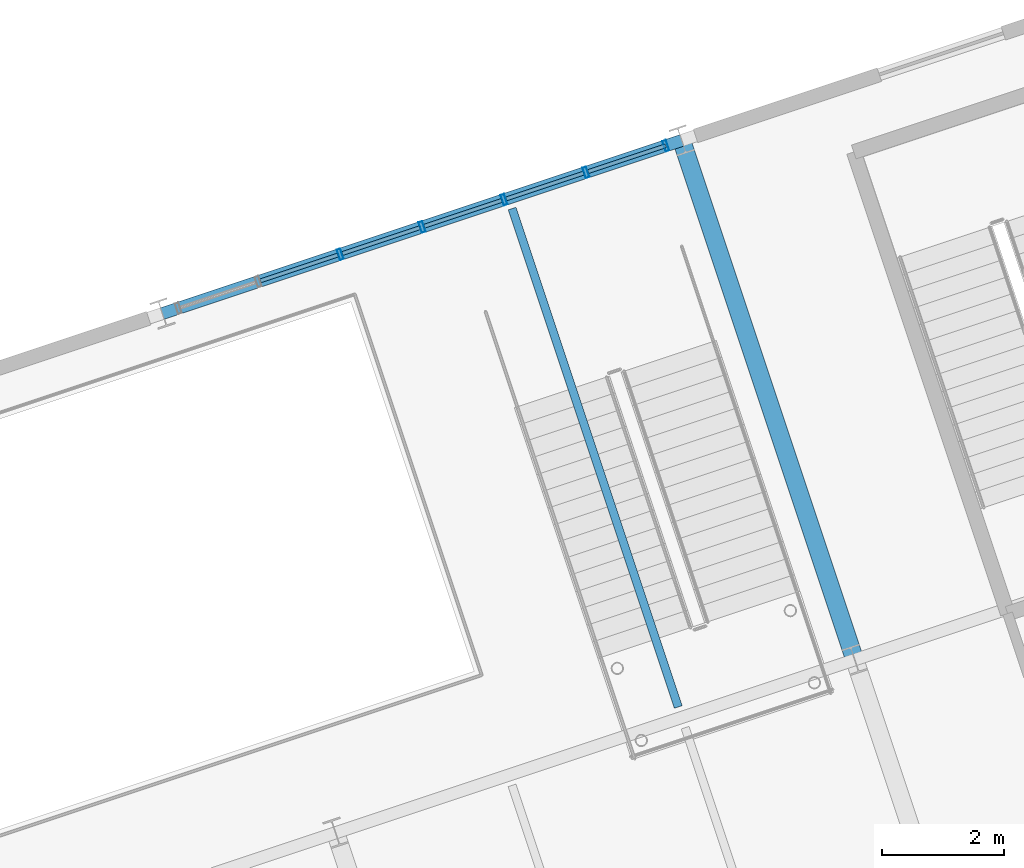
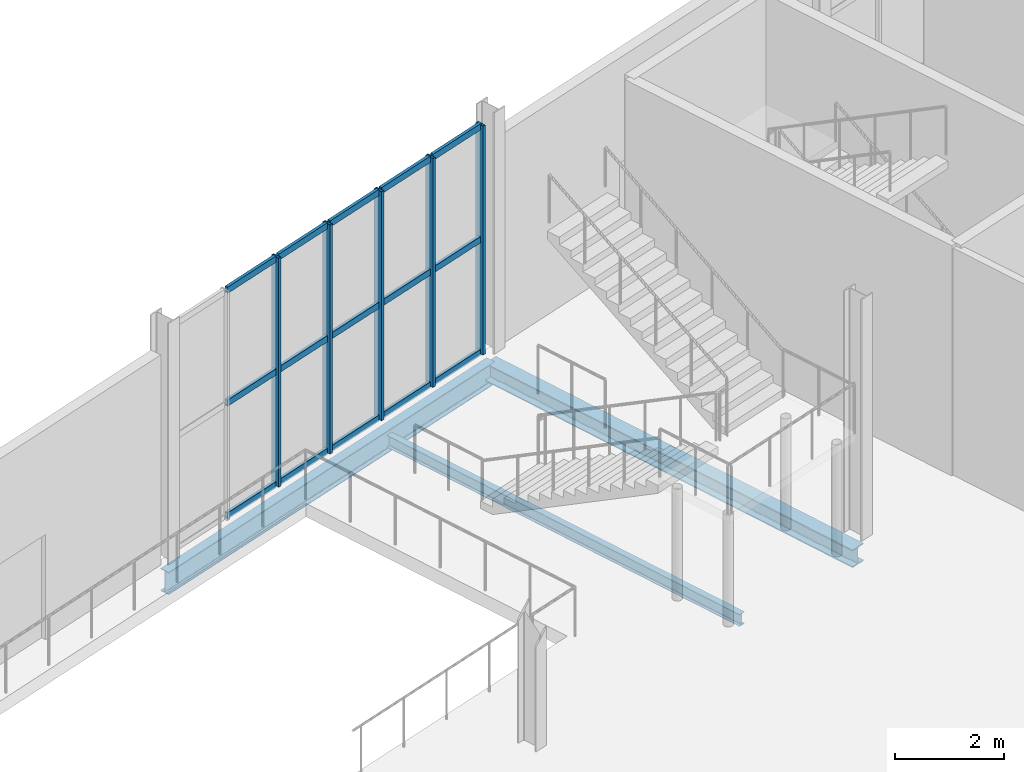
# One storey, part 52 of 158: 20 members, 3 beams, 1 element without a shape of its own.
"""IFC4 building model written with IfcOpenShell, lengths in metres."""

from ifc_helpers import new_model, si_unit, derived_unit, direction, frame, origin, origin_2d, place, context, subcontext, project, spatial, hollow_rectangle, i_section, extrude, material, material_profile, profile_set, type_object, element, aggregate, save


model = new_model("IFC4")

# Units and contexts
model_context = context("Model", 3, precision=1e-05, world=origin(), true_north=direction((0.0, 1.0)))
body_context = subcontext(model_context, "Body", "Model", "MODEL_VIEW")
ifc_project = project(units=[si_unit("LENGTHUNIT", "METRE"), si_unit("AREAUNIT", "SQUARE_METRE"), si_unit("VOLUMEUNIT", "CUBIC_METRE"), si_unit("PLANEANGLEUNIT", "RADIAN"), si_unit("MASSUNIT", "GRAM", prefix="KILO"), si_unit("THERMODYNAMICTEMPERATUREUNIT", "KELVIN"), si_unit("TIMEUNIT", "SECOND"), derived_unit("THERMALTRANSMITTANCEUNIT", [(si_unit("MASSUNIT", "GRAM", prefix="KILO"), 1), (si_unit("THERMODYNAMICTEMPERATUREUNIT", "KELVIN"), -1), (si_unit("TIMEUNIT", "SECOND"), -3)])], contexts=[model_context])

# Site, building, storey
site_placement = place(None, origin())
site = spatial("IfcSite", under=ifc_project, at=site_placement, CompositionType="ELEMENT")
building_placement = place(site_placement, origin())
building = spatial("IfcBuilding", under=site, at=building_placement, Name="Cambertide Market Hall", CompositionType="ELEMENT")
storey_placement = place(building_placement, origin())
storey = spatial("IfcBuildingStorey", under=building, at=storey_placement, Name="L01", CompositionType="ELEMENT", Elevation=0.0)

# Curtain wall, members
ifc_material_1 = material(Name="Marine Anodized Aluminium 6063-T6 AA25", Category="aluminium")
curtain_wall_type = type_object("IfcCurtainWallType", Name="Food Court Ground Glazed Facade", PredefinedType="USERDEFINED", material=ifc_material_1)
curtain_wall_placement = place(storey_placement, origin())
curtain_wall = element("IfcCurtainWall", 1, at=curtain_wall_placement, inside=storey, type_object=curtain_wall_type, Name="Level 1 Curtain Wall CW-V3N-L01-4", ObjectType="UNITIZED CURTAIN WALL", PredefinedType="USERDEFINED")
ifc_material_2 = material(Name="Champagne Marine Anodized Aluminium 6063-T6 AA25", Category="aluminium")
ifc_material_profile_1 = material_profile(ifc_material_2, hollow_rectangle(XDim=0.06494140625, YDim=0.179931640625, WallThickness=0.00390625, at=origin_2d()), Name="ALU MULLION 65x180")
ifc_profile_set_1 = profile_set([ifc_material_profile_1], Name="Champagne Marine Anodized Aluminium 6063-T6 AA25")
member_type_1 = type_object("IfcMemberType", Name="Curtain Wall Mullion ALU MULLION 65x180", PredefinedType="MULLION", material=ifc_profile_set_1)
member_1_placement = place(storey_placement, frame((125.998291015625, 47.12646484375, 0.0), z_axis=(0.0, 0.0, 1.0), x_axis=(0.948683286311, 0.316227801236, 0.0)))
member_1 = element("IfcMember", 2, at=member_1_placement, type_object=member_type_1, Name="CW-V3N-L01-4 Mullion 3", PredefinedType="MULLION", context=body_context, shape_type="SweptSolid", body=[
    extrude(hollow_rectangle(XDim=0.06494140625, YDim=0.179931640625, WallThickness=0.00390625, at=origin_2d()), origin(), (0.0, 0.0, 1.0), 5.1201171875),
])
member_2_placement = place(storey_placement, frame((127.345458984375, 47.57568359375, 0.0), z_axis=(0.0, 0.0, 1.0), x_axis=(0.948683286311, 0.316227801236, 0.0)))
member_2 = element("IfcMember", 3, at=member_2_placement, type_object=member_type_1, Name="CW-V3N-L01-4 Mullion 4", PredefinedType="MULLION", context=body_context, shape_type="SweptSolid", body=[
    extrude(hollow_rectangle(XDim=0.06494140625, YDim=0.179931640625, WallThickness=0.00390625, at=origin_2d()), origin(), (0.0, 0.0, 1.0), 5.1201171875),
])
member_3_placement = place(storey_placement, frame((128.6923828125, 48.024658203125, 0.0), z_axis=(0.0, 0.0, 1.0), x_axis=(0.948683286311, 0.316227801236, 0.0)))
member_3 = element("IfcMember", 4, at=member_3_placement, type_object=member_type_1, Name="CW-V3N-L01-4 Mullion 5", PredefinedType="MULLION", context=body_context, shape_type="SweptSolid", body=[
    extrude(hollow_rectangle(XDim=0.06494140625, YDim=0.179931640625, WallThickness=0.00390625, at=origin_2d()), origin(), (0.0, 0.0, 1.0), 5.1201171875),
])
member_4_placement = place(storey_placement, frame((130.03955078125, 48.4736328125, 0.0), z_axis=(0.0, 0.0, 1.0), x_axis=(0.948683286311, 0.316227801236, 0.0)))
member_4 = element("IfcMember", 5, at=member_4_placement, type_object=member_type_1, Name="CW-V3N-L01-4 Mullion 6", PredefinedType="MULLION", context=body_context, shape_type="SweptSolid", body=[
    extrude(hollow_rectangle(XDim=0.06494140625, YDim=0.179931640625, WallThickness=0.00390625, at=origin_2d()), origin(), (0.0, 0.0, 1.0), 5.1201171875),
])
member_5_placement = place(storey_placement, frame((131.353515625, 48.91162109375, 0.0), z_axis=(0.0, 0.0, 1.0), x_axis=(0.948683286311, 0.316227801236, 0.0)))
member_5 = element("IfcMember", 6, at=member_5_placement, type_object=member_type_1, Name="CW-V3N-L01-4 Mullion 7", PredefinedType="MULLION", context=body_context, shape_type="SweptSolid", body=[
    extrude(hollow_rectangle(XDim=0.06494140625, YDim=0.179931640625, WallThickness=0.00390625, at=origin_2d()), origin(), (0.0, 0.0, 1.0), 5.1201171875),
])
ifc_material_3 = material(Name="Champagne Marine Anodized Aluminium 6063-T6 AA25", Category="aluminium")
ifc_material_profile_2 = material_profile(ifc_material_3, hollow_rectangle(XDim=0.06494140625, YDim=0.139892578125, WallThickness=0.00341796875, at=origin_2d()), Name="ALU TRANSOM 65x140")
ifc_profile_set_2 = profile_set([ifc_material_profile_2], Name="Champagne Marine Anodized Aluminium 6063-T6 AA25")
member_type_2 = type_object("IfcMemberType", Name="Curtain Wall Transom ALU TRANSOM 65x140", PredefinedType="USERDEFINED", material=ifc_profile_set_2)
member_6_placement = place(storey_placement, frame((124.68896484375, 46.690185546875, 0.034912109375), z_axis=(0.948665077442, 0.316282422593, 0.0), x_axis=(-0.316282422593, 0.948665077442, 0.0)))
member_6 = element("IfcMember", 7, at=member_6_placement, type_object=member_type_2, Name="CW-V3N-L01-4 Transom 1-2", ObjectType="TRANSOM", PredefinedType="USERDEFINED", context=body_context, shape_type="SweptSolid", body=[
    extrude(hollow_rectangle(XDim=0.06494140625, YDim=0.139892578125, WallThickness=0.00341796875, at=origin_2d()), origin(), (0.0, 0.0, 1.0), 1.340087890625),
])
member_7_placement = place(storey_placement, frame((126.0361328125, 47.13916015625, 0.034912109375), z_axis=(0.948665077442, 0.316282422593, 0.0), x_axis=(-0.316282422593, 0.948665077442, 0.0)))
member_7 = element("IfcMember", 8, at=member_7_placement, type_object=member_type_2, Name="CW-V3N-L01-4 Transom 1-3", ObjectType="TRANSOM", PredefinedType="USERDEFINED", context=body_context, shape_type="SweptSolid", body=[
    extrude(hollow_rectangle(XDim=0.06494140625, YDim=0.139892578125, WallThickness=0.00341796875, at=origin_2d()), origin(), (0.0, 0.0, 1.0), 1.340087890625),
])
member_8_placement = place(storey_placement, frame((127.38330078125, 47.58837890625, 0.034912109375), z_axis=(0.948719731918, 0.316118443418, 0.0), x_axis=(-0.316118443418, 0.948719731918, 0.0)))
member_8 = element("IfcMember", 9, at=member_8_placement, type_object=member_type_2, Name="CW-V3N-L01-4 Transom 1-4", ObjectType="TRANSOM", PredefinedType="USERDEFINED", context=body_context, shape_type="SweptSolid", body=[
    extrude(hollow_rectangle(XDim=0.06494140625, YDim=0.139892578125, WallThickness=0.00341796875, at=origin_2d()), origin(), (0.0, 0.0, 1.0), 1.33984375),
])
member_9_placement = place(storey_placement, frame((128.73046875, 48.037353515625, 0.034912109375), z_axis=(0.948665077442, 0.316282422593, 0.0), x_axis=(-0.316282422593, 0.948665077442, 0.0)))
member_9 = element("IfcMember", 10, at=member_9_placement, type_object=member_type_2, Name="CW-V3N-L01-4 Transom 1-5", ObjectType="TRANSOM", PredefinedType="USERDEFINED", context=body_context, shape_type="SweptSolid", body=[
    extrude(hollow_rectangle(XDim=0.06494140625, YDim=0.139892578125, WallThickness=0.00341796875, at=origin_2d()), origin(), (0.0, 0.0, 1.0), 1.340087890625),
])
member_10_placement = place(storey_placement, frame((130.07763671875, 48.486328125, 0.034912109375), z_axis=(0.948665077442, 0.316282422593, 0.0), x_axis=(-0.316282422593, 0.948665077442, 0.0)))
member_10 = element("IfcMember", 11, at=member_10_placement, type_object=member_type_2, Name="CW-V3N-L01-4 Transom 1-6", ObjectType="TRANSOM", PredefinedType="USERDEFINED", context=body_context, shape_type="SweptSolid", body=[
    extrude(hollow_rectangle(XDim=0.06494140625, YDim=0.139892578125, WallThickness=0.00341796875, at=origin_2d()), origin(), (0.0, 0.0, 1.0), 1.340087890625),
])
member_11_placement = place(storey_placement, frame((124.68896484375, 46.690185546875, 2.56005859375), z_axis=(0.948665077442, 0.316282422593, 0.0), x_axis=(-0.316282422593, 0.948665077442, 0.0)))
member_11 = element("IfcMember", 12, at=member_11_placement, type_object=member_type_2, Name="CW-V3N-L01-4 Transom 2-2", ObjectType="TRANSOM", PredefinedType="USERDEFINED", context=body_context, shape_type="SweptSolid", body=[
    extrude(hollow_rectangle(XDim=0.06494140625, YDim=0.139892578125, WallThickness=0.00341796875, at=origin_2d()), origin(), (0.0, 0.0, 1.0), 1.340087890625),
])
member_12_placement = place(storey_placement, frame((126.0361328125, 47.13916015625, 2.56005859375), z_axis=(0.948665077442, 0.316282422593, 0.0), x_axis=(-0.316282422593, 0.948665077442, 0.0)))
member_12 = element("IfcMember", 13, at=member_12_placement, type_object=member_type_2, Name="CW-V3N-L01-4 Transom 2-3", ObjectType="TRANSOM", PredefinedType="USERDEFINED", context=body_context, shape_type="SweptSolid", body=[
    extrude(hollow_rectangle(XDim=0.06494140625, YDim=0.139892578125, WallThickness=0.00341796875, at=origin_2d()), origin(), (0.0, 0.0, 1.0), 1.340087890625),
])
member_13_placement = place(storey_placement, frame((127.38330078125, 47.58837890625, 2.56005859375), z_axis=(0.948719731918, 0.316118443418, 0.0), x_axis=(-0.316118443418, 0.948719731918, 0.0)))
member_13 = element("IfcMember", 14, at=member_13_placement, type_object=member_type_2, Name="CW-V3N-L01-4 Transom 2-4", ObjectType="TRANSOM", PredefinedType="USERDEFINED", context=body_context, shape_type="SweptSolid", body=[
    extrude(hollow_rectangle(XDim=0.06494140625, YDim=0.139892578125, WallThickness=0.00341796875, at=origin_2d()), origin(), (0.0, 0.0, 1.0), 1.33984375),
])
member_14_placement = place(storey_placement, frame((128.73046875, 48.037353515625, 2.56005859375), z_axis=(0.948665077442, 0.316282422593, 0.0), x_axis=(-0.316282422593, 0.948665077442, 0.0)))
member_14 = element("IfcMember", 15, at=member_14_placement, type_object=member_type_2, Name="CW-V3N-L01-4 Transom 2-5", ObjectType="TRANSOM", PredefinedType="USERDEFINED", context=body_context, shape_type="SweptSolid", body=[
    extrude(hollow_rectangle(XDim=0.06494140625, YDim=0.139892578125, WallThickness=0.00341796875, at=origin_2d()), origin(), (0.0, 0.0, 1.0), 1.340087890625),
])
member_15_placement = place(storey_placement, frame((130.07763671875, 48.486328125, 2.56005859375), z_axis=(0.948665077442, 0.316282422593, 0.0), x_axis=(-0.316282422593, 0.948665077442, 0.0)))
member_15 = element("IfcMember", 16, at=member_15_placement, type_object=member_type_2, Name="CW-V3N-L01-4 Transom 2-6", ObjectType="TRANSOM", PredefinedType="USERDEFINED", context=body_context, shape_type="SweptSolid", body=[
    extrude(hollow_rectangle(XDim=0.06494140625, YDim=0.139892578125, WallThickness=0.00341796875, at=origin_2d()), origin(), (0.0, 0.0, 1.0), 1.340087890625),
])
member_16_placement = place(storey_placement, frame((124.68896484375, 46.690185546875, 5.0849609375), z_axis=(0.948665077442, 0.316282422593, 0.0), x_axis=(-0.316282422593, 0.948665077442, 0.0)))
member_16 = element("IfcMember", 17, at=member_16_placement, type_object=member_type_2, Name="CW-V3N-L01-4 Transom 3-2", ObjectType="TRANSOM", PredefinedType="USERDEFINED", context=body_context, shape_type="SweptSolid", body=[
    extrude(hollow_rectangle(XDim=0.06494140625, YDim=0.139892578125, WallThickness=0.00341796875, at=origin_2d()), origin(), (0.0, 0.0, 1.0), 1.340087890625),
])
member_17_placement = place(storey_placement, frame((126.0361328125, 47.13916015625, 5.0849609375), z_axis=(0.948665077442, 0.316282422593, 0.0), x_axis=(-0.316282422593, 0.948665077442, 0.0)))
member_17 = element("IfcMember", 18, at=member_17_placement, type_object=member_type_2, Name="CW-V3N-L01-4 Transom 3-3", ObjectType="TRANSOM", PredefinedType="USERDEFINED", context=body_context, shape_type="SweptSolid", body=[
    extrude(hollow_rectangle(XDim=0.06494140625, YDim=0.139892578125, WallThickness=0.00341796875, at=origin_2d()), origin(), (0.0, 0.0, 1.0), 1.340087890625),
])
member_18_placement = place(storey_placement, frame((127.38330078125, 47.58837890625, 5.0849609375), z_axis=(0.948719731918, 0.316118443418, 0.0), x_axis=(-0.316118443418, 0.948719731918, 0.0)))
member_18 = element("IfcMember", 19, at=member_18_placement, type_object=member_type_2, Name="CW-V3N-L01-4 Transom 3-4", ObjectType="TRANSOM", PredefinedType="USERDEFINED", context=body_context, shape_type="SweptSolid", body=[
    extrude(hollow_rectangle(XDim=0.06494140625, YDim=0.139892578125, WallThickness=0.00341796875, at=origin_2d()), origin(), (0.0, 0.0, 1.0), 1.33984375),
])
member_19_placement = place(storey_placement, frame((128.73046875, 48.037353515625, 5.0849609375), z_axis=(0.948665077442, 0.316282422593, 0.0), x_axis=(-0.316282422593, 0.948665077442, 0.0)))
member_19 = element("IfcMember", 20, at=member_19_placement, type_object=member_type_2, Name="CW-V3N-L01-4 Transom 3-5", ObjectType="TRANSOM", PredefinedType="USERDEFINED", context=body_context, shape_type="SweptSolid", body=[
    extrude(hollow_rectangle(XDim=0.06494140625, YDim=0.139892578125, WallThickness=0.00341796875, at=origin_2d()), origin(), (0.0, 0.0, 1.0), 1.340087890625),
])
member_20_placement = place(storey_placement, frame((130.07763671875, 48.486328125, 5.0849609375), z_axis=(0.948665077442, 0.316282422593, 0.0), x_axis=(-0.316282422593, 0.948665077442, 0.0)))
member_20 = element("IfcMember", 21, at=member_20_placement, type_object=member_type_2, Name="CW-V3N-L01-4 Transom 3-6", ObjectType="TRANSOM", PredefinedType="USERDEFINED", context=body_context, shape_type="SweptSolid", body=[
    extrude(hollow_rectangle(XDim=0.06494140625, YDim=0.139892578125, WallThickness=0.00341796875, at=origin_2d()), origin(), (0.0, 0.0, 1.0), 1.340087890625),
])
aggregate(curtain_wall, [member_1, member_2, member_3, member_4, member_5, member_6, member_7, member_8, member_9, member_10, member_11, member_12, member_13, member_14, member_15, member_16, member_17, member_18, member_19, member_20])

# Beams
ifc_material_4 = material(Name="Steel S355", Category="steel")
ifc_material_profile_3 = material_profile(ifc_material_4, i_section(OverallWidth=0.300048828125, OverallDepth=0.39990234375, WebThickness=0.013427734375, FlangeThickness=0.02392578125, FilletRadius=0.027099609375, at=origin_2d()), Name="HEB 400")
ifc_profile_set_3 = profile_set([ifc_material_profile_3], Name="Steel S355")
beam_type_1 = type_object("IfcBeamType", Name="Steel Girder HEB 400", PredefinedType="BEAM", material=ifc_profile_set_3)
beam_1_placement = place(storey_placement, frame((134.46044921875, 40.46044921875, -0.5), z_axis=(-0.3162196279, 0.948686010717, 0.0), x_axis=(-0.948686010717, -0.3162196279, 0.0)))
element("IfcBeam", 22, at=beam_1_placement, inside=storey, type_object=beam_type_1, Name="Level 1 Beam BM-V3V-L01-5-3", PredefinedType="BEAM", context=body_context, shape_type="SweptSolid", body=[
    extrude(i_section(OverallWidth=0.300048828125, OverallDepth=0.39990234375, WebThickness=0.013427734375, FlangeThickness=0.02392578125, FilletRadius=0.027099609375, at=origin_2d()), origin(), (0.0, 0.0, 1.0), 9.0),
])
ifc_material_5 = material(Name="Steel S355", Category="steel")
ifc_material_profile_4 = material_profile(ifc_material_5, i_section(OverallWidth=0.199951171875, OverallDepth=0.5, WebThickness=0.01025390625, FlangeThickness=0.01611328125, FilletRadius=0.02099609375, at=origin_2d()), Name="IPE 500")
ifc_profile_set_4 = profile_set([ifc_material_profile_4], Name="Steel S355")
beam_type_2 = type_object("IfcBeamType", Name="Steel Girder IPE 500", PredefinedType="BEAM", material=ifc_profile_set_4)
beam_2_placement = place(storey_placement, frame((123.076416015625, 46.152587890625, -0.550048828125), z_axis=(0.948686010717, 0.3162196279, 0.0), x_axis=(-0.3162196279, 0.948686010717, 0.0)))
element("IfcBeam", 23, at=beam_2_placement, inside=storey, type_object=beam_type_2, Name="Level 1 Beam BM-V3U-L01-4-4", PredefinedType="BEAM", context=body_context, shape_type="SweptSolid", body=[
    extrude(i_section(OverallWidth=0.199951171875, OverallDepth=0.5, WebThickness=0.01025390625, FlangeThickness=0.01611328125, FilletRadius=0.02099609375, at=origin_2d()), origin(), (0.0, 0.0, 1.0), 9.0),
])
ifc_material_6 = material(Name="Steel S275", Category="steel")
ifc_material_profile_5 = material_profile(ifc_material_6, i_section(OverallWidth=0.135009765625, OverallDepth=0.27001953125, WebThickness=0.006591796875, FlangeThickness=0.01025390625, FilletRadius=0.014892578125, at=origin_2d()), Name="IPE 270")
ifc_profile_set_5 = profile_set([ifc_material_profile_5], Name="Steel S275")
beam_type_3 = type_object("IfcBeamType", Name="Steel Secondary Joist IPE 270", PredefinedType="JOIST", material=ifc_profile_set_5)
beam_3_placement = place(storey_placement, frame((131.5576171875, 39.6826171875, -0.43505859375), z_axis=(-0.316227766017, 0.948683298051, 0.0), x_axis=(-0.948683298051, -0.316227766017, 0.0)))
element("IfcBeam", 24, at=beam_3_placement, inside=storey, type_object=beam_type_3, Name="Level 1 Joist JS-V3-L01-4-3-2", PredefinedType="JOIST", context=body_context, shape_type="SweptSolid", body=[
    extrude(i_section(OverallWidth=0.135009765625, OverallDepth=0.27001953125, WebThickness=0.006591796875, FlangeThickness=0.01025390625, FilletRadius=0.014892578125, at=origin_2d()), origin(), (0.0, 0.0, 1.0), 8.639892578125),
])

save(model, "model.ifc")
